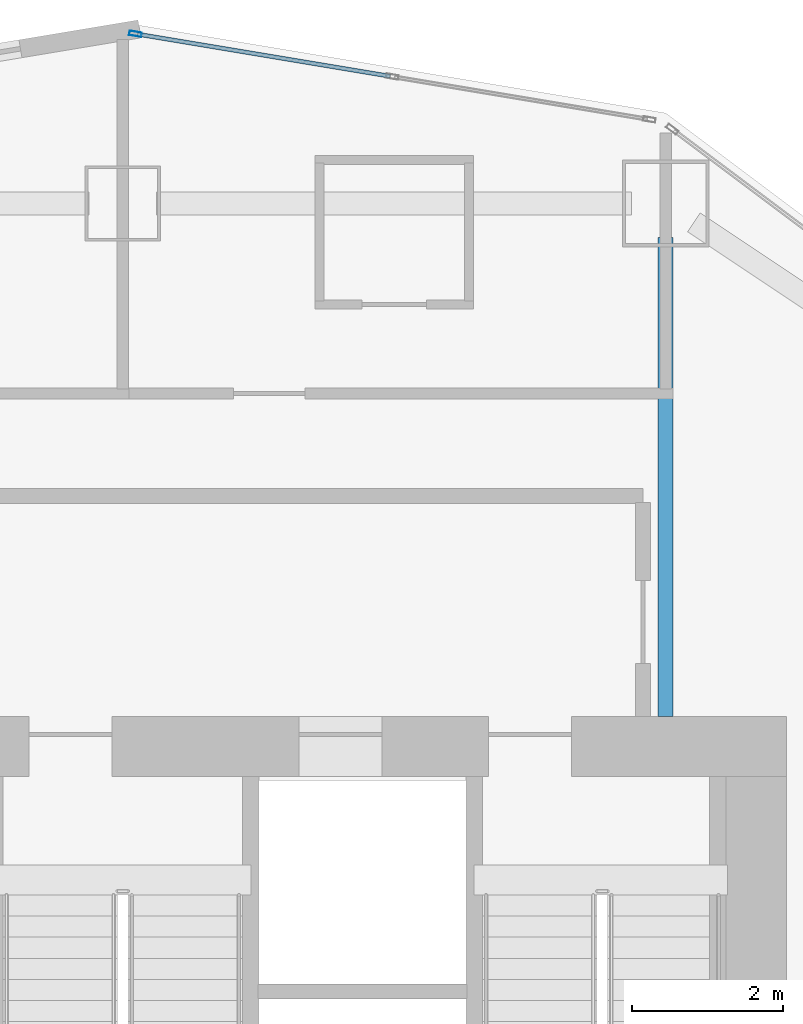
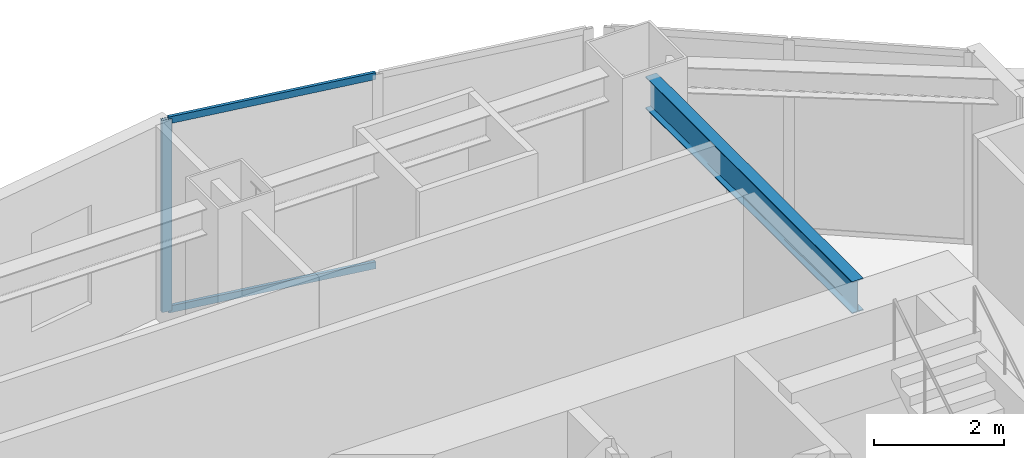
# One storey, part 2 of 15: 3 members, 1 beam, 1 element without a shape of its own.
"""IFC4 building model written with IfcOpenShell, lengths in metres."""

from ifc_helpers import new_model, si_unit, direction, frame, origin, origin_2d, place, context, subcontext, project, spatial, hollow_rectangle, i_section, extrude, material, layer, layer_set, material_profile, profile_set, type_object, element, aggregate, save


model = new_model("IFC4")

# Units and contexts
model_context = context("Model", 3, precision=1e-05, world=origin(), true_north=direction((0.0, 1.0)))
body_context = subcontext(model_context, "Body", "Model", "MODEL_VIEW")
ifc_project = project(units=[si_unit("LENGTHUNIT", "METRE"), si_unit("AREAUNIT", "SQUARE_METRE"), si_unit("VOLUMEUNIT", "CUBIC_METRE"), si_unit("PLANEANGLEUNIT", "RADIAN"), si_unit("MASSUNIT", "GRAM", prefix="KILO")], contexts=[model_context])

# Site, building, storey
site_placement = place(None, origin())
site = spatial("IfcSite", under=ifc_project, at=site_placement, CompositionType="ELEMENT")
building_placement = place(site_placement, origin())
building = spatial("IfcBuilding", under=site, at=building_placement, Name="Haolan Belvedere Tower", CompositionType="ELEMENT")
storey_placement = place(building_placement, frame((0.0, 0.0, 70.39990234375)))
storey = spatial("IfcBuildingStorey", under=building, at=storey_placement, Name="L17", CompositionType="ELEMENT", Elevation=70.39990234375)

# Beam
ifc_material_1 = material(Name="Steel Q355B", Category="steel")
ifc_material_profile_1 = material_profile(ifc_material_1, i_section(OverallWidth=0.199951171875, OverallDepth=0.60009765625, WebThickness=0.010986328125, FlangeThickness=0.01708984375, FilletRadius=0.02197265625, at=origin_2d()), Name="Steel Q355B")
ifc_profile_set_1 = profile_set([ifc_material_profile_1], Name="Steel Q355B")
beam_type = type_object("IfcBeamType", Name="BM-HN600x200x11x17", PredefinedType="BEAM", material=ifc_profile_set_1)
beam_placement = place(storey_placement, frame((45.60009765625, 49.949951171875, 3.300048828125), z_axis=(0.0, -1.0, 0.0), x_axis=(1.0, 0.0, 0.0)))
element("IfcBeam", 1, at=beam_placement, inside=storey, type_object=beam_type, Name="L17 core tie beam from MC-T3-N2", PredefinedType="BEAM", context=body_context, shape_type="SweptSolid", body=[
    extrude(i_section(OverallWidth=0.199951171875, OverallDepth=0.60009765625, WebThickness=0.010986328125, FlangeThickness=0.01708984375, FilletRadius=0.02197265625, at=origin_2d()), origin(), (0.0, 0.0, 1.0), 6.349853515625),
])

# Curtain wall, members
ifc_material_2 = material(Name="Anodised champagne-silver aluminium 6063-T6 and Low-E glass", Category="aluminium")
ifc_layer = layer(ifc_material_2, 0.1650390625, Name="Anodised champagne-silver aluminium 6063-T6 and Low-E glass")
ifc_layer_set = layer_set([ifc_layer], Name="Anodised champagne-silver aluminium 6063-T6 and Low-E glass")
curtain_wall_type = type_object("IfcCurtainWallType", Name="CW-SYS-02", PredefinedType="NOTDEFINED", material=ifc_layer_set)
curtain_wall_placement = place(storey_placement, origin())
curtain_wall = element("IfcCurtainWall", 2, at=curtain_wall_placement, inside=storey, type_object=curtain_wall_type, Name="L17 CW-SYS-02 ribbon curtain wall 42.1", PredefinedType="NOTDEFINED")
ifc_material_3 = material(Name="Anodised aluminium 6063-T6", Category="aluminium")
ifc_material_profile_2 = material_profile(ifc_material_3, hollow_rectangle(XDim=0.06005859375, YDim=0.1650390625, WallThickness=0.00390625, at=origin_2d()), Name="Anodised aluminium 6063-T6")
ifc_profile_set_2 = profile_set([ifc_material_profile_2], Name="Anodised aluminium 6063-T6")
member_type_1 = type_object("IfcMemberType", Name="CW-SYS-02-MUL", PredefinedType="MULLION", material=ifc_profile_set_2)
member_1_placement = place(storey_placement, frame((38.567626953125, 52.650390625, 0.0), z_axis=(0.0, 0.0, 1.0), x_axis=(-0.16440364043, -0.9863931483, 0.0)))
member_1 = element("IfcMember", 3, at=member_1_placement, type_object=member_type_1, Name="CW-02 mullion 3", PredefinedType="MULLION", context=body_context, shape_type="SweptSolid", body=[
    extrude(hollow_rectangle(XDim=0.06005859375, YDim=0.1650390625, WallThickness=0.00390625, at=origin_2d()), origin(), (0.0, 0.0, 1.0), 3.60009765625),
])
ifc_material_profile_3 = material_profile(ifc_material_3, hollow_rectangle(XDim=0.054931640625, YDim=0.1298828125, WallThickness=0.00390625, at=origin_2d()), Name="Anodised aluminium 6063-T6")
ifc_profile_set_3 = profile_set([ifc_material_profile_3], Name="Anodised aluminium 6063-T6")
member_type_2 = type_object("IfcMemberType", Name="CW-SYS-02-TRN", PredefinedType="USERDEFINED", material=ifc_profile_set_3)
member_2_placement = place(storey_placement, frame((41.946044921875, 52.08740234375, 0.027587890625), z_axis=(-0.986395867289, 0.164387326137, 0.0), x_axis=(-0.164387326137, -0.986395867289, 0.0)))
member_2 = element("IfcMember", 4, at=member_2_placement, type_object=member_type_2, Name="CW-02 transom 2.1", ObjectType="TRANSOM", PredefinedType="USERDEFINED", context=body_context, shape_type="SweptSolid", body=[
    extrude(hollow_rectangle(XDim=0.054931640625, YDim=0.1298828125, WallThickness=0.00390625, at=origin_2d()), origin(), (0.0, 0.0, 1.0), 3.39501953125),
])
member_3_placement = place(storey_placement, frame((41.946044921875, 52.08740234375, 3.572509765625), z_axis=(-0.986395867289, 0.164387326137, 0.0), x_axis=(-0.164387326137, -0.986395867289, 0.0)))
member_3 = element("IfcMember", 5, at=member_3_placement, type_object=member_type_2, Name="CW-02 transom 2.2", ObjectType="TRANSOM", PredefinedType="USERDEFINED", context=body_context, shape_type="SweptSolid", body=[
    extrude(hollow_rectangle(XDim=0.054931640625, YDim=0.1298828125, WallThickness=0.00390625, at=origin_2d()), origin(), (0.0, 0.0, 1.0), 3.39501953125),
])
aggregate(curtain_wall, [member_1, member_2, member_3])

save(model, "model.ifc")
